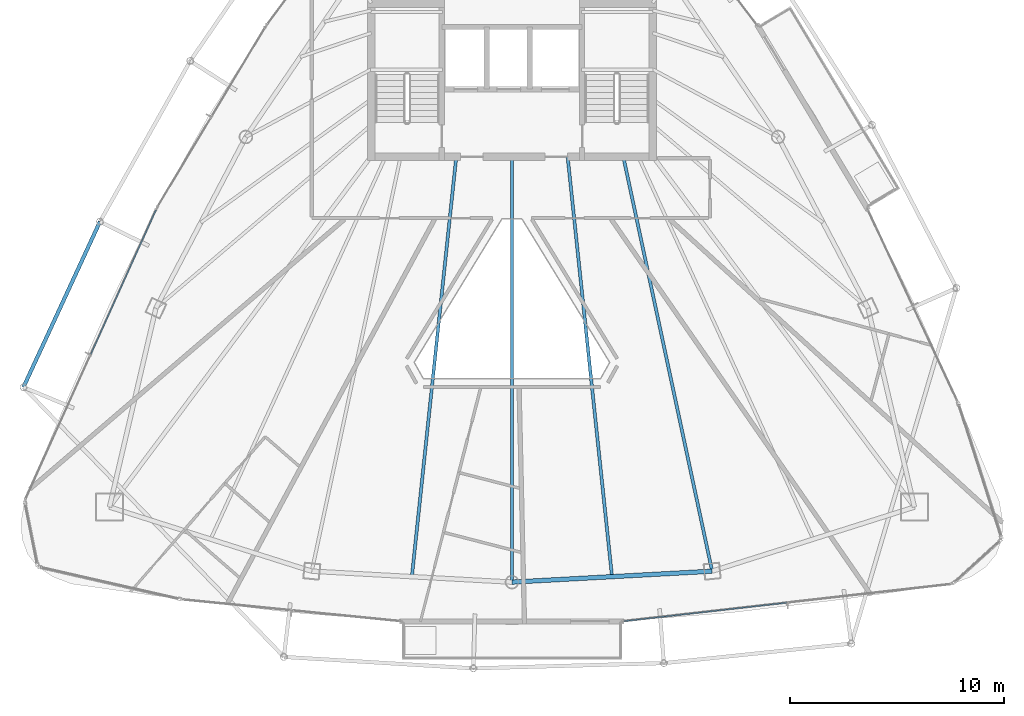
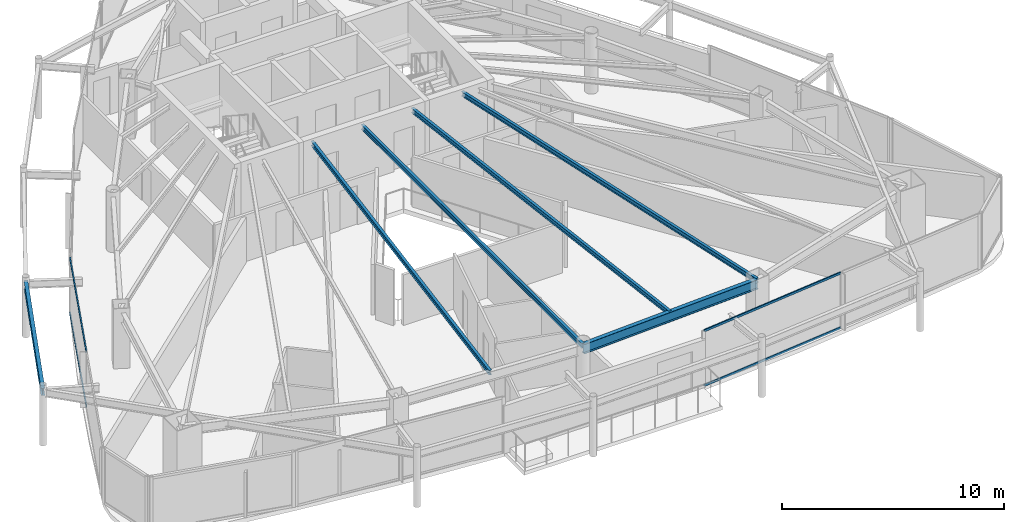
# One storey, part 9 of 30: 6 beams, 4 members, 2 elements without a shape of their own.
"""IFC4 building model written with IfcOpenShell, lengths in metres."""

from ifc_helpers import new_model, si_unit, direction, frame, origin, origin_2d, place, context, subcontext, project, spatial, hollow_rectangle, i_section, extrude, material, layer, layer_set, material_profile, profile_set, type_object, element, aggregate, save


model = new_model("IFC4")

# Units and contexts
model_context = context("Model", 3, precision=1e-05, world=origin(), true_north=direction((0.0, 1.0)))
body_context = subcontext(model_context, "Body", "Model", "MODEL_VIEW")
ifc_project = project(units=[si_unit("LENGTHUNIT", "METRE"), si_unit("AREAUNIT", "SQUARE_METRE"), si_unit("VOLUMEUNIT", "CUBIC_METRE"), si_unit("PLANEANGLEUNIT", "RADIAN"), si_unit("MASSUNIT", "GRAM", prefix="KILO")], contexts=[model_context])

# Site, building, storey
site_placement = place(None, origin())
site = spatial("IfcSite", under=ifc_project, at=site_placement, CompositionType="ELEMENT")
building_placement = place(site_placement, origin())
building = spatial("IfcBuilding", under=site, at=building_placement, Name="Orvanel Arch Residences", CompositionType="ELEMENT")
storey_placement = place(building_placement, frame((0.0, 0.0, 226.10009765625)))
storey = spatial("IfcBuildingStorey", under=building, at=storey_placement, Name="L64", CompositionType="ELEMENT", Elevation=226.10009765625)

# Beams
ifc_material_1 = material(Name="Structural steel AS/NZS 3679.1 Grade 300 (300 MPa)", Category="steel")
ifc_material_profile_1 = material_profile(ifc_material_1, i_section(OverallWidth=0.14599609375, OverallDepth=0.251953125, WebThickness=0.006103515625, FlangeThickness=0.008544921875, at=origin_2d()), Name="250UB31.4")
ifc_profile_set_1 = profile_set([ifc_material_profile_1], Name="Structural steel AS/NZS 3679.1 Grade 300 (300 MPa)")
beam_type_1 = type_object("IfcBeamType", Name="BJ-250UB", PredefinedType="JOIST", material=ifc_profile_set_1)
beam_1_placement = place(storey_placement, frame((38.199951171875, 26.72509765625, 2.933837890625), z_axis=(0.209547604985, -0.977798446125, 0.0), x_axis=(0.977798446125, 0.209547604985, 0.0)))
element("IfcBeam", 1, at=beam_1_placement, inside=storey, type_object=beam_type_1, Name="L64 SE Wing Floor Joist", PredefinedType="JOIST", context=body_context, shape_type="SweptSolid", body=[
    extrude(i_section(OverallWidth=0.14599609375, OverallDepth=0.251953125, WebThickness=0.006103515625, FlangeThickness=0.008544921875, at=origin_2d()), origin(), (0.0, 0.0, 1.0), 19.809814453125),
])
beam_2_placement = place(storey_placement, frame((33.0, 26.72509765625, 2.933837890625), z_axis=(0.0, -1.0, 0.0), x_axis=(1.0, 0.0, 0.0)))
element("IfcBeam", 2, at=beam_2_placement, inside=storey, type_object=beam_type_1, Name="L64 SSW Wing Floor Joist", PredefinedType="JOIST", context=body_context, shape_type="SweptSolid", body=[
    extrude(i_section(OverallWidth=0.14599609375, OverallDepth=0.251953125, WebThickness=0.006103515625, FlangeThickness=0.008544921875, at=origin_2d()), origin(), (0.0, 0.0, 1.0), 19.881103515625),
])
for number, where, z_axis, x_axis, name in (
    (3, (30.39990234375, 26.72509765625, 2.933837890625), (-0.105143936131, -0.994457014, 0.0), (0.994457014, -0.105143936131, 0.0), "L64 WSW2 Wing Floor Joist"),
    (4, (35.60009765625, 26.72509765625, 2.933837890625), (0.105143936131, -0.994457014, 0.0), (0.994457014, 0.105143936131, 0.0), "L64 ESE2 Wing Floor Joist"),
):
    element("IfcBeam", number, at=place(storey_placement, frame(where, z_axis=z_axis, x_axis=x_axis)), inside=storey, type_object=beam_type_1, Name=name, PredefinedType="JOIST", context=body_context, shape_type="SweptSolid", body=[
        extrude(i_section(OverallWidth=0.14599609375, OverallDepth=0.251953125, WebThickness=0.006103515625, FlangeThickness=0.008544921875, at=origin_2d()), origin(), (0.0, 0.0, 1.0), 19.734375),
    ])
ifc_material_profile_2 = material_profile(ifc_material_1, i_section(OverallWidth=0.177978515625, OverallDepth=0.406005859375, WebThickness=0.0078125, FlangeThickness=0.0126953125, at=origin_2d()), Name="410UB59.7")
ifc_profile_set_2 = profile_set([ifc_material_profile_2], Name="Structural steel AS/NZS 3679.1 Grade 300 (300 MPa)")
beam_type_2 = type_object("IfcBeamType", Name="OB-410UB-EXT", PredefinedType="SPANDREL", material=ifc_profile_set_2)
beam_3_placement = place(storey_placement, frame((13.751953125, 23.681884765625, 2.85693359375), z_axis=(-0.419434455083, -0.907785623311, 0.0), x_axis=(0.907785623311, -0.419434455083, 0.0)))
element("IfcBeam", 5, at=beam_3_placement, inside=storey, type_object=beam_type_2, Name="L64 Outer Perimeter Floor Ring Beam 03", PredefinedType="SPANDREL", context=body_context, shape_type="SweptSolid", body=[
    extrude(i_section(OverallWidth=0.177978515625, OverallDepth=0.406005859375, WebThickness=0.0078125, FlangeThickness=0.0126953125, at=origin_2d()), origin(), (0.0, 0.0, 1.0), 8.516357421875),
])
ifc_material_profile_3 = material_profile(ifc_material_1, i_section(OverallWidth=0.208984375, OverallDepth=0.532958984375, WebThickness=0.01025390625, FlangeThickness=0.015625, at=origin_2d()), Name="530UB92.4")
ifc_profile_set_3 = profile_set([ifc_material_profile_3], Name="Structural steel AS/NZS 3679.1 Grade 300 (300 MPa)")
beam_type_3 = type_object("IfcBeamType", Name="SP-530UB", PredefinedType="SPANDREL", material=ifc_profile_set_3)
beam_4_placement = place(storey_placement, frame((33.0, 6.843994140625, 2.79296875), z_axis=(0.998510315598, 0.054563262768, 0.0), x_axis=(-0.054563262768, 0.998510315598, 0.0)))
element("IfcBeam", 6, at=beam_4_placement, inside=storey, type_object=beam_type_3, Name="L64 Perimeter Spandrel Beam 04", PredefinedType="SPANDREL", context=body_context, shape_type="SweptSolid", body=[
    extrude(i_section(OverallWidth=0.208984375, OverallDepth=0.532958984375, WebThickness=0.01025390625, FlangeThickness=0.015625, at=origin_2d()), origin(), (0.0, 0.0, 1.0), 9.364990234375),
])

# Curtain wall, members
ifc_material_2 = material(Name="Bronze-anodised aluminium AA6063-T6", Category="aluminium")
ifc_layer = layer(ifc_material_2, 0.175048828125)
ifc_layer_set = layer_set([ifc_layer], Name="Bronze-anodised aluminium AA6063-T6")
curtain_wall_type = type_object("IfcCurtainWallType", Name="CW4-HI-SYS", PredefinedType="NOTDEFINED", material=ifc_layer_set)
curtain_wall_1_placement = place(storey_placement, origin())
curtain_wall_1 = element("IfcCurtainWall", 7, at=curtain_wall_1_placement, inside=storey, type_object=curtain_wall_type, Name="L64 CW4-HI-SYS Unitised Curtain Wall", PredefinedType="NOTDEFINED")
ifc_material_profile_4 = material_profile(ifc_material_2, hollow_rectangle(XDim=0.06005859375, YDim=0.1201171875, WallThickness=0.00341796875, at=origin_2d()), Name="ALU120x60x3.5")
ifc_profile_set_4 = profile_set([ifc_material_profile_4], Name="Bronze-anodised aluminium AA6063-T6")
member_type = type_object("IfcMemberType", Name="TRN-120x60", PredefinedType="USERDEFINED", material=ifc_profile_set_4)
member_1_placement = place(storey_placement, frame((16.3671875, 24.230712890625, 0.02978515625), z_axis=(-0.411121754868, -0.91158044224, 0.0), x_axis=(0.91158044224, -0.411121754868, 0.0)))
member_1 = element("IfcMember", 8, at=member_1_placement, type_object=member_type, Name="CW-S4 transom 1.1", ObjectType="TRANSOM", PredefinedType="USERDEFINED", context=body_context, shape_type="SweptSolid", body=[
    extrude(hollow_rectangle(XDim=0.06005859375, YDim=0.1201171875, WallThickness=0.00341796875, at=origin_2d()), origin(), (0.0, 0.0, 1.0), 7.38671875),
])
member_2_placement = place(storey_placement, frame((16.3671875, 24.230712890625, 3.02978515625), z_axis=(-0.411121754868, -0.91158044224, 0.0), x_axis=(0.91158044224, -0.411121754868, 0.0)))
member_2 = element("IfcMember", 9, at=member_2_placement, type_object=member_type, Name="CW-S4 transom 1.2", ObjectType="TRANSOM", PredefinedType="USERDEFINED", context=body_context, shape_type="SweptSolid", body=[
    extrude(hollow_rectangle(XDim=0.06005859375, YDim=0.1201171875, WallThickness=0.00341796875, at=origin_2d()), origin(), (0.0, 0.0, 1.0), 7.38671875),
])
aggregate(curtain_wall_1, [member_1, member_2])

curtain_wall_2_placement = place(storey_placement, origin())
curtain_wall_2 = element("IfcCurtainWall", 10, at=curtain_wall_2_placement, inside=storey, type_object=curtain_wall_type, Name="L64 CW4-HI-SYS Unitised Curtain Wall", PredefinedType="NOTDEFINED")
member_3_placement = place(storey_placement, frame((38.228515625, 5.020263671875, 0.02978515625), z_axis=(0.993641990336, 0.112585945127, 0.0), x_axis=(-0.112585945127, 0.993641990336, 0.0)))
member_3 = element("IfcMember", 11, at=member_3_placement, type_object=member_type, Name="CW-S4 transom 1.1", ObjectType="TRANSOM", PredefinedType="USERDEFINED", context=body_context, shape_type="SweptSolid", body=[
    extrude(hollow_rectangle(XDim=0.06005859375, YDim=0.1201171875, WallThickness=0.00341796875, at=origin_2d()), origin(), (0.0, 0.0, 1.0), 7.648193359375),
])
member_4_placement = place(storey_placement, frame((38.228515625, 5.020263671875, 3.02978515625), z_axis=(0.993641990336, 0.112585945127, 0.0), x_axis=(-0.112585945127, 0.993641990336, 0.0)))
member_4 = element("IfcMember", 12, at=member_4_placement, type_object=member_type, Name="CW-S4 transom 1.2", ObjectType="TRANSOM", PredefinedType="USERDEFINED", context=body_context, shape_type="SweptSolid", body=[
    extrude(hollow_rectangle(XDim=0.06005859375, YDim=0.1201171875, WallThickness=0.00341796875, at=origin_2d()), origin(), (0.0, 0.0, 1.0), 7.648193359375),
])
aggregate(curtain_wall_2, [member_3, member_4])

save(model, "model.ifc")
